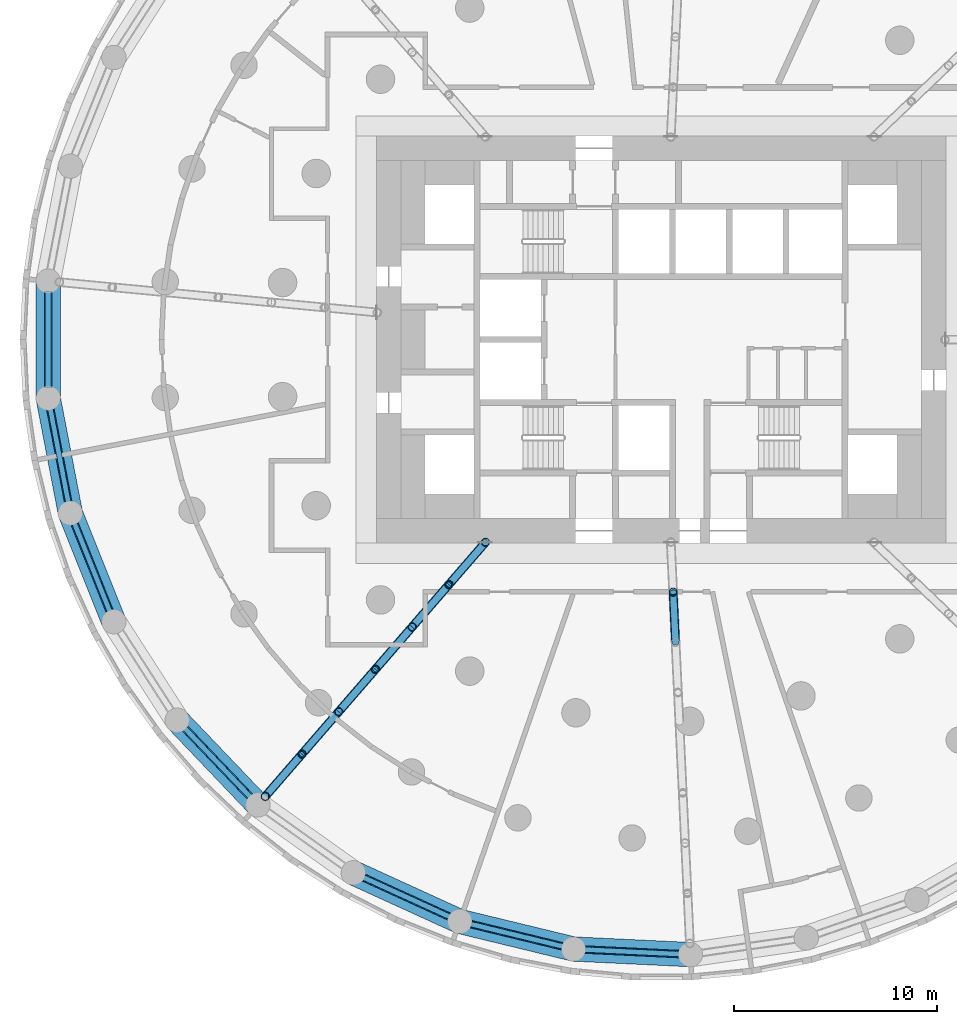
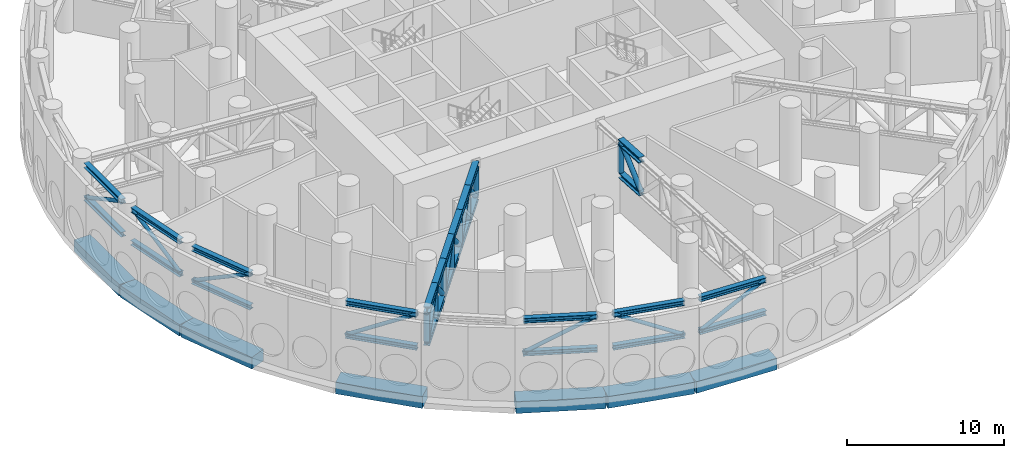
# One storey, part 2 of 17: 50 members, 7 beams.
"""IFC4 building model written with IfcOpenShell, lengths in metres."""

from ifc_helpers import new_model, si_unit, direction, frame, origin, origin_2d, place, context, subcontext, project, spatial, rectangle, hollow_circle, i_section, extrude, material, material_profile, profile_set, type_object, element, save


model = new_model("IFC4")

# Units and contexts
model_context = context("Model", 3, precision=1e-05, world=origin(), true_north=direction((0.0, 1.0)))
body_context = subcontext(model_context, "Body", "Model", "MODEL_VIEW")
ifc_project = project(units=[si_unit("LENGTHUNIT", "METRE"), si_unit("AREAUNIT", "SQUARE_METRE"), si_unit("VOLUMEUNIT", "CUBIC_METRE"), si_unit("PLANEANGLEUNIT", "RADIAN"), si_unit("MASSUNIT", "GRAM", prefix="KILO")], contexts=[model_context])

# Site, building, storey
site_placement = place(None, origin())
site = spatial("IfcSite", under=ifc_project, at=site_placement, CompositionType="ELEMENT")
building_placement = place(site_placement, origin())
building = spatial("IfcBuilding", under=site, at=building_placement, Name="Tracery Tower", CompositionType="ELEMENT")
storey_placement = place(building_placement, frame((0.0, 0.0, 120.0)))
storey = spatial("IfcBuildingStorey", under=building, at=storey_placement, Name="L30 Plant", CompositionType="ELEMENT", Elevation=120.0)

# Members
ifc_material_1 = material(Name="Steel S355", Category="steel")
ifc_material_profile_1 = material_profile(ifc_material_1, i_section(OverallWidth=0.37060546875, OverallDepth=0.362060546875, WebThickness=0.01220703125, FlangeThickness=0.020751953125, FilletRadius=0.01513671875, at=origin_2d()), Name="UKC 356x368x153")
ifc_profile_set_1 = profile_set([ifc_material_profile_1], Name="Steel S355")
member_type_1 = type_object("IfcMemberType", Name="Belt truss bottom chord UKC 356x368x153", PredefinedType="CHORD", material=ifc_profile_set_1)
for number, where, z_axis, x_axis, name in (
    (1, (-30.137451171875, 2.377685546875, 2.9033203125), (0.0, -1.0, 0.0), (1.0, 0.0, 0.0), "Belt truss bottom chord 17"),
    (2, (-30.04296875, -3.368896484375, 2.9033203125), (0.1892891442, -0.981921391909, 0.0), (0.981921391909, 0.1892891442, 0.0), "Belt truss bottom chord 18"),
):
    element("IfcMember", number, at=place(storey_placement, frame(where, z_axis=z_axis, x_axis=x_axis)), inside=storey, type_object=member_type_1, Name=name, PredefinedType="CHORD", context=body_context, shape_type="SweptSolid", body=[
        extrude(i_section(OverallWidth=0.37060546875, OverallDepth=0.362060546875, WebThickness=0.01220703125, FlangeThickness=0.020751953125, FilletRadius=0.01513671875, at=origin_2d()), origin(), (0.0, 0.0, 1.0), 4.75537109375),
    ])
for number, where, z_axis, x_axis, name in (
    (3, (-28.862548828125, -8.993408203125, 2.9033203125), (0.371673893132, -0.928363354061, 0.0), (0.928363354061, 0.371673893132, 0.0), "Belt truss bottom chord 19"),
    (4, (-23.452392578125, -19.076416015625, 2.9033203125), (0.690093469117, -0.723720252503, 0.0), (0.723720252503, 0.690093469117, 0.0), "Belt truss bottom chord 21"),
    (5, (-14.6826171875, -26.42626953125, 2.9033203125), (0.909631920905, -0.415415176024, 0.0), (0.415415176024, 0.909631920905, 0.0), "Belt truss bottom chord 23"),
    (6, (-9.416015625, -28.727294921875, 2.9033203125), (0.97181590024, -0.235741078389, 0.0), (0.235741078389, 0.97181590024, 0.0), "Belt truss bottom chord 24"),
    (7, (-3.80908203125, -29.990234375, 2.9033203125), (0.998866975953, -0.047589540356, 0.0), (0.047589540356, 0.998866975953, 0.0), "Belt truss bottom chord 25"),
):
    element("IfcMember", number, at=place(storey_placement, frame(where, z_axis=z_axis, x_axis=x_axis)), inside=storey, type_object=member_type_1, Name=name, PredefinedType="CHORD", context=body_context, shape_type="SweptSolid", body=[
        extrude(i_section(OverallWidth=0.37060546875, OverallDepth=0.362060546875, WebThickness=0.01220703125, FlangeThickness=0.020751953125, FilletRadius=0.01513671875, at=origin_2d()), origin(), (0.0, 0.0, 1.0), 4.755615234375),
    ])
ifc_material_2 = material(Name="Steel S355", Category="steel")
ifc_material_profile_2 = material_profile(ifc_material_2, hollow_circle(Radius=0.136474609375, WallThickness=0.012451171875, at=origin_2d()), Name="CHS 273x12.5")
ifc_profile_set_2 = profile_set([ifc_material_profile_2], Name="Steel S355")
member_type_2 = type_object("IfcMemberType", Name="Belt truss diagonal CHS 273x12.5", PredefinedType="BRACE", material=ifc_profile_set_2)
for number, where, z_axis, x_axis, name in (
    (8, (-30.137451171875, 2.377685546875, 2.9033203125), (0.0, -0.880568341572, 0.473919187016), (1.0, 0.0, 0.0), "Belt truss diagonal 17"),
    (9, (-30.04296875, -3.368896484375, 5.462646484375), (0.166682292282, -0.864650263678, -0.473916590721), (0.981921391909, 0.1892891442, 0.0), "Belt truss diagonal 18"),
):
    element("IfcMember", number, at=place(storey_placement, frame(where, z_axis=z_axis, x_axis=x_axis)), inside=storey, type_object=member_type_2, Name=name, PredefinedType="BRACE", context=body_context, shape_type="SweptSolid", body=[
        extrude(hollow_circle(Radius=0.136474609375, WallThickness=0.012451171875, at=origin_2d()), origin(), (0.0, 0.0, 1.0), 5.400390625),
    ])
member_1_placement = place(storey_placement, frame((-28.862548828125, -8.993408203125, 2.9033203125), z_axis=(0.327289704715, -0.817500969621, 0.473891985431), x_axis=(0.928363354061, 0.371673893132, 0.0)))
element("IfcMember", 10, at=member_1_placement, inside=storey, type_object=member_type_2, Name="Belt truss diagonal 19", PredefinedType="BRACE", context=body_context, shape_type="SweptSolid", body=[
    extrude(hollow_circle(Radius=0.136474609375, WallThickness=0.012451171875, at=origin_2d()), origin(), (0.0, 0.0, 1.0), 5.400634765625),
])
member_2_placement = place(storey_placement, frame((-23.452392578125, -19.076416015625, 2.9033203125), z_axis=(0.607678110868, -0.637288969565, 0.473909361421), x_axis=(0.723720252503, 0.690093469117, 0.0)))
element("IfcMember", 11, at=member_2_placement, inside=storey, type_object=member_type_2, Name="Belt truss diagonal 21", PredefinedType="BRACE", context=body_context, shape_type="SweptSolid", body=[
    extrude(hollow_circle(Radius=0.136474609375, WallThickness=0.012451171875, at=origin_2d()), origin(), (0.0, 0.0, 1.0), 5.400390625),
])
for number, where, z_axis, x_axis, name in (
    (12, (-14.6826171875, -26.42626953125, 2.9033203125), (0.801005148435, -0.365806967726, 0.473894518373), (0.415415176024, 0.909631920905, 0.0), "Belt truss diagonal 23"),
    (13, (-9.416015625, -28.727294921875, 5.462646484375), (0.855760163092, -0.207588519224, -0.473900358674), (0.235741078389, 0.97181590024, 0.0), "Belt truss diagonal 24"),
    (14, (-3.80908203125, -29.990234375, 2.9033203125), (0.879581490581, -0.041906359756, 0.47389899603), (0.047589540356, 0.998866975953, 0.0), "Belt truss diagonal 25"),
):
    element("IfcMember", number, at=place(storey_placement, frame(where, z_axis=z_axis, x_axis=x_axis)), inside=storey, type_object=member_type_2, Name=name, PredefinedType="BRACE", context=body_context, shape_type="SweptSolid", body=[
        extrude(hollow_circle(Radius=0.136474609375, WallThickness=0.012451171875, at=origin_2d()), origin(), (0.0, 0.0, 1.0), 5.400634765625),
    ])
ifc_material_3 = material(Name="Steel S355", Category="steel")
ifc_material_profile_3 = material_profile(ifc_material_3, i_section(OverallWidth=0.374755859375, OverallDepth=0.37451171875, WebThickness=0.0166015625, FlangeThickness=0.027099609375, FilletRadius=0.01513671875, at=origin_2d()), Name="UKC 356x368x202")
ifc_profile_set_3 = profile_set([ifc_material_profile_3], Name="Steel S355")
member_type_3 = type_object("IfcMemberType", Name="Belt truss top chord UKC 356x368x202", PredefinedType="CHORD", material=ifc_profile_set_3)
for number, where, z_axis, x_axis, name in (
    (15, (-30.137451171875, 2.377685546875, 5.462646484375), (0.0, -1.0, 0.0), (1.0, 0.0, 0.0), "Belt truss top chord 17"),
    (16, (-30.04296875, -3.368896484375, 5.462646484375), (0.1892891442, -0.981921391909, 0.0), (0.981921391909, 0.1892891442, 0.0), "Belt truss top chord 18"),
):
    element("IfcMember", number, at=place(storey_placement, frame(where, z_axis=z_axis, x_axis=x_axis)), inside=storey, type_object=member_type_3, Name=name, PredefinedType="CHORD", context=body_context, shape_type="SweptSolid", body=[
        extrude(i_section(OverallWidth=0.374755859375, OverallDepth=0.37451171875, WebThickness=0.0166015625, FlangeThickness=0.027099609375, FilletRadius=0.01513671875, at=origin_2d()), origin(), (0.0, 0.0, 1.0), 4.75537109375),
    ])
for number, where, z_axis, x_axis, name in (
    (17, (-28.862548828125, -8.993408203125, 5.462646484375), (0.371673893132, -0.928363354061, 0.0), (0.928363354061, 0.371673893132, 0.0), "Belt truss top chord 19"),
    (18, (-23.452392578125, -19.076416015625, 5.462646484375), (0.690093469117, -0.723720252503, 0.0), (0.723720252503, 0.690093469117, 0.0), "Belt truss top chord 21"),
    (19, (-14.6826171875, -26.42626953125, 5.462646484375), (0.909631920905, -0.415415176024, 0.0), (0.415415176024, 0.909631920905, 0.0), "Belt truss top chord 23"),
    (20, (-9.416015625, -28.727294921875, 5.462646484375), (0.97181590024, -0.235741078389, 0.0), (0.235741078389, 0.97181590024, 0.0), "Belt truss top chord 24"),
    (21, (-3.80908203125, -29.990234375, 5.462646484375), (0.998866975953, -0.047589540356, 0.0), (0.047589540356, 0.998866975953, 0.0), "Belt truss top chord 25"),
):
    element("IfcMember", number, at=place(storey_placement, frame(where, z_axis=z_axis, x_axis=x_axis)), inside=storey, type_object=member_type_3, Name=name, PredefinedType="CHORD", context=body_context, shape_type="SweptSolid", body=[
        extrude(i_section(OverallWidth=0.374755859375, OverallDepth=0.37451171875, WebThickness=0.0166015625, FlangeThickness=0.027099609375, FilletRadius=0.01513671875, at=origin_2d()), origin(), (0.0, 0.0, 1.0), 4.755615234375),
    ])
ifc_material_4 = material(Name="Steel S355", Category="steel")
ifc_material_profile_4 = material_profile(ifc_material_4, i_section(OverallWidth=0.403076171875, OverallDepth=0.406494140625, WebThickness=0.026611328125, FlangeThickness=0.04296875, FilletRadius=0.01513671875, at=origin_2d()), Name="UKC 356x406x340")
ifc_profile_set_4 = profile_set([ifc_material_profile_4], Name="Steel S355")
member_type_4 = type_object("IfcMemberType", Name="Outrigger bottom chord UKC 356x406x340", PredefinedType="CHORD", material=ifc_profile_set_4)
member_3_placement = place(storey_placement, frame((-8.63232421875, -9.962158203125, 2.9033203125), z_axis=(-0.654829396434, -0.755776727325, 0.0), x_axis=(0.755776727325, -0.654829396434, 0.0)))
element("IfcMember", 22, at=member_3_placement, inside=storey, type_object=member_type_4, Name="Outrigger 6 bottom chord 1", PredefinedType="CHORD", context=body_context, shape_type="SweptSolid", body=[
    extrude(i_section(OverallWidth=0.403076171875, OverallDepth=0.406494140625, WebThickness=0.026611328125, FlangeThickness=0.04296875, FilletRadius=0.01513671875, at=origin_2d()), origin(), (0.0, 0.0, 1.0), 2.757080078125),
])
member_4_placement = place(storey_placement, frame((-10.437744140625, -12.0458984375, 2.9033203125), z_axis=(-0.654879971825, -0.755732904208, 0.0), x_axis=(0.755732904208, -0.654879971825, 0.0)))
element("IfcMember", 23, at=member_4_placement, inside=storey, type_object=member_type_4, Name="Outrigger 6 bottom chord 2", PredefinedType="CHORD", context=body_context, shape_type="SweptSolid", body=[
    extrude(i_section(OverallWidth=0.403076171875, OverallDepth=0.406494140625, WebThickness=0.026611328125, FlangeThickness=0.04296875, FilletRadius=0.01513671875, at=origin_2d()), origin(), (0.0, 0.0, 1.0), 2.75732421875),
])
member_5_placement = place(storey_placement, frame((-12.243408203125, -14.129638671875, 2.9033203125), z_axis=(-0.654829396434, -0.755776727325, 0.0), x_axis=(0.755776727325, -0.654829396434, 0.0)))
element("IfcMember", 24, at=member_5_placement, inside=storey, type_object=member_type_4, Name="Outrigger 6 bottom chord 3", PredefinedType="CHORD", context=body_context, shape_type="SweptSolid", body=[
    extrude(i_section(OverallWidth=0.403076171875, OverallDepth=0.406494140625, WebThickness=0.026611328125, FlangeThickness=0.04296875, FilletRadius=0.01513671875, at=origin_2d()), origin(), (0.0, 0.0, 1.0), 2.757080078125),
])
member_6_placement = place(storey_placement, frame((-14.048828125, -16.21337890625, 2.9033203125), z_axis=(-0.654879971825, -0.755732904208, 0.0), x_axis=(0.755732904208, -0.654879971825, 0.0)))
element("IfcMember", 25, at=member_6_placement, inside=storey, type_object=member_type_4, Name="Outrigger 6 bottom chord 4", PredefinedType="CHORD", context=body_context, shape_type="SweptSolid", body=[
    extrude(i_section(OverallWidth=0.403076171875, OverallDepth=0.406494140625, WebThickness=0.026611328125, FlangeThickness=0.04296875, FilletRadius=0.01513671875, at=origin_2d()), origin(), (0.0, 0.0, 1.0), 2.75732421875),
])
member_7_placement = place(storey_placement, frame((-15.8544921875, -18.297119140625, 2.9033203125), z_axis=(-0.654873222232, -0.755738753012, 0.0), x_axis=(0.755738753012, -0.654873222232, 0.0)))
element("IfcMember", 26, at=member_7_placement, inside=storey, type_object=member_type_4, Name="Outrigger 6 bottom chord 5", PredefinedType="CHORD", context=body_context, shape_type="SweptSolid", body=[
    extrude(i_section(OverallWidth=0.403076171875, OverallDepth=0.406494140625, WebThickness=0.026611328125, FlangeThickness=0.04296875, FilletRadius=0.01513671875, at=origin_2d()), origin(), (0.0, 0.0, 1.0), 2.7568359375),
])
member_8_placement = place(storey_placement, frame((-17.659912109375, -20.380615234375, 2.9033203125), z_axis=(-0.654829396434, -0.755776727325, 0.0), x_axis=(0.755776727325, -0.654829396434, 0.0)))
element("IfcMember", 27, at=member_8_placement, inside=storey, type_object=member_type_4, Name="Outrigger 6 bottom chord 6", PredefinedType="CHORD", context=body_context, shape_type="SweptSolid", body=[
    extrude(i_section(OverallWidth=0.403076171875, OverallDepth=0.406494140625, WebThickness=0.026611328125, FlangeThickness=0.04296875, FilletRadius=0.01513671875, at=origin_2d()), origin(), (0.0, 0.0, 1.0), 2.757080078125),
])
member_9_placement = place(storey_placement, frame((0.591552734375, -12.417724609375, 2.9033203125), z_axis=(0.047536976289, -0.998869478904, 0.0), x_axis=(0.998869478904, 0.047536976289, 0.0)))
element("IfcMember", 28, at=member_9_placement, inside=storey, type_object=member_type_4, Name="Outrigger 7 bottom chord 2", PredefinedType="CHORD", context=body_context, shape_type="SweptSolid", body=[
    extrude(i_section(OverallWidth=0.403076171875, OverallDepth=0.406494140625, WebThickness=0.026611328125, FlangeThickness=0.04296875, FilletRadius=0.01513671875, at=origin_2d()), origin(), (0.0, 0.0, 1.0), 2.47021484375),
])
ifc_material_5 = material(Name="Steel S355", Category="steel")
ifc_material_profile_5 = material_profile(ifc_material_5, hollow_circle(Radius=0.177734375, WallThickness=0.01611328125, at=origin_2d()), Name="CHS 355.6x16")
ifc_profile_set_5 = profile_set([ifc_material_profile_5], Name="Steel S355")
member_type_5 = type_object("IfcMemberType", Name="Outrigger diagonal CHS 355.6x16", PredefinedType="BRACE", material=ifc_profile_set_5)
for number, where, z_axis, x_axis, name in (
    (29, (-8.63232421875, -9.962158203125, 2.9033203125), (-0.479926202834, -0.5539107696, 0.680333520529), (0.755776727325, -0.654829396434, 0.0), "Outrigger 6 diagonal 1"),
    (30, (-10.437744140625, -12.0458984375, 5.462646484375), (-0.47997615117, -0.553893516798, -0.680312330005), (0.755732904208, -0.654879971825, 0.0), "Outrigger 6 diagonal 2"),
    (31, (-12.243408203125, -14.129638671875, 2.9033203125), (-0.479926202834, -0.5539107696, 0.680333520529), (0.755776727325, -0.654829396434, 0.0), "Outrigger 6 diagonal 3"),
    (32, (-14.048828125, -16.21337890625, 5.462646484375), (-0.47997615117, -0.553893516798, -0.680312330005), (0.755732904208, -0.654879971825, 0.0), "Outrigger 6 diagonal 4"),
):
    element("IfcMember", number, at=place(storey_placement, frame(where, z_axis=z_axis, x_axis=x_axis)), inside=storey, type_object=member_type_5, Name=name, PredefinedType="BRACE", context=body_context, shape_type="SweptSolid", body=[
        extrude(hollow_circle(Radius=0.177734375, WallThickness=0.01611328125, at=origin_2d()), origin(), (0.0, 0.0, 1.0), 3.761962890625),
    ])
member_10_placement = place(storey_placement, frame((-15.8544921875, -18.297119140625, 2.9033203125), z_axis=(-0.479943455195, -0.553865780478, 0.680357977121), x_axis=(0.755738753012, -0.654873222232, 0.0)))
element("IfcMember", 33, at=member_10_placement, inside=storey, type_object=member_type_5, Name="Outrigger 6 diagonal 5", PredefinedType="BRACE", context=body_context, shape_type="SweptSolid", body=[
    extrude(hollow_circle(Radius=0.177734375, WallThickness=0.01611328125, at=origin_2d()), origin(), (0.0, 0.0, 1.0), 3.76171875),
])
member_11_placement = place(storey_placement, frame((-17.659912109375, -20.380615234375, 5.462646484375), z_axis=(-0.479926202834, -0.5539107696, -0.680333520529), x_axis=(0.755776727325, -0.654829396434, 0.0)))
element("IfcMember", 34, at=member_11_placement, inside=storey, type_object=member_type_5, Name="Outrigger 6 diagonal 6", PredefinedType="BRACE", context=body_context, shape_type="SweptSolid", body=[
    extrude(hollow_circle(Radius=0.177734375, WallThickness=0.01611328125, at=origin_2d()), origin(), (0.0, 0.0, 1.0), 3.761962890625),
])
member_12_placement = place(storey_placement, frame((0.591552734375, -12.417724609375, 5.462646484375), z_axis=(0.03301372485, -0.693700035465, -0.719507022042), x_axis=(0.998869478904, 0.047536976289, 0.0)))
element("IfcMember", 35, at=member_12_placement, inside=storey, type_object=member_type_5, Name="Outrigger 7 diagonal 2", PredefinedType="BRACE", context=body_context, shape_type="SweptSolid", body=[
    extrude(hollow_circle(Radius=0.177734375, WallThickness=0.01611328125, at=origin_2d()), origin(), (0.0, 0.0, 1.0), 3.55712890625),
])
ifc_material_6 = material(Name="Steel S355", Category="steel")
ifc_material_profile_6 = material_profile(ifc_material_6, hollow_circle(Radius=0.203125, WallThickness=0.02001953125, at=origin_2d()), Name="CHS 406.4x20")
ifc_profile_set_6 = profile_set([ifc_material_profile_6], Name="Steel S355")
member_type_6 = type_object("IfcMemberType", Name="Outrigger post CHS 406.4x20", PredefinedType="POST", material=ifc_profile_set_6)
for number, where, z_axis, x_axis, name in (
    (36, (-8.63232421875, -9.962158203125, 3.1064453125), (0.0, 0.0, 1.0), (1.0, 0.0, 0.0), "Outrigger 6 post 1"),
    (37, (-10.437744140625, -12.0458984375, 3.1064453125), (0.0, 0.0, 1.0), (1.0, 0.0, 0.0), "Outrigger 6 post 2"),
    (38, (-12.243408203125, -14.129638671875, 3.1064453125), (0.0, 0.0, 1.0), (1.0, 0.0, 0.0), "Outrigger 6 post 3"),
    (39, (-14.048828125, -16.21337890625, 3.1064453125), (0.0, 0.0, 1.0), (1.0, 0.0, 0.0), "Outrigger 6 post 4"),
    (40, (-15.8544921875, -18.297119140625, 3.1064453125), (0.0, 0.0, 1.0), (1.0, 0.0, 0.0), "Outrigger 6 post 5"),
    (41, (-17.659912109375, -20.380615234375, 3.1064453125), (0.0, 0.0, 1.0), (1.0, 0.0, 0.0), "Outrigger 6 post 6"),
    (42, (-19.46533203125, -22.46435546875, 3.1064453125), (0.0, 0.0, 1.0), (1.0, 0.0, 0.0), "Outrigger 6 post 7"),
    (43, (0.591552734375, -12.417724609375, 3.1064453125), (0.0, 0.0, 1.0), (1.0, 0.0, 0.0), "Outrigger 7 post 2"),
):
    element("IfcMember", number, at=place(storey_placement, frame(where, z_axis=z_axis, x_axis=x_axis)), inside=storey, type_object=member_type_6, Name=name, PredefinedType="POST", context=body_context, shape_type="SweptSolid", body=[
        extrude(hollow_circle(Radius=0.203125, WallThickness=0.02001953125, at=origin_2d()), origin(), (0.0, 0.0, 1.0), 2.118896484375),
    ])
ifc_material_7 = material(Name="Steel S355", Category="steel")
ifc_material_profile_7 = material_profile(ifc_material_7, i_section(OverallWidth=0.424072265625, OverallDepth=0.474609375, WebThickness=0.047607421875, FlangeThickness=0.076904296875, FilletRadius=0.01513671875, at=origin_2d()), Name="UKC 356x406x634")
ifc_profile_set_7 = profile_set([ifc_material_profile_7], Name="Steel S355")
member_type_7 = type_object("IfcMemberType", Name="Outrigger top chord UKC 356x406x634", PredefinedType="CHORD", material=ifc_profile_set_7)
member_13_placement = place(storey_placement, frame((-8.63232421875, -9.962158203125, 5.462646484375), z_axis=(-0.654829396434, -0.755776727325, 0.0), x_axis=(0.755776727325, -0.654829396434, 0.0)))
element("IfcMember", 44, at=member_13_placement, inside=storey, type_object=member_type_7, Name="Outrigger 6 top chord 1", PredefinedType="CHORD", context=body_context, shape_type="SweptSolid", body=[
    extrude(i_section(OverallWidth=0.424072265625, OverallDepth=0.474609375, WebThickness=0.047607421875, FlangeThickness=0.076904296875, FilletRadius=0.01513671875, at=origin_2d()), origin(), (0.0, 0.0, 1.0), 2.757080078125),
])
member_14_placement = place(storey_placement, frame((-10.437744140625, -12.0458984375, 5.462646484375), z_axis=(-0.654879971825, -0.755732904208, 0.0), x_axis=(0.755732904208, -0.654879971825, 0.0)))
element("IfcMember", 45, at=member_14_placement, inside=storey, type_object=member_type_7, Name="Outrigger 6 top chord 2", PredefinedType="CHORD", context=body_context, shape_type="SweptSolid", body=[
    extrude(i_section(OverallWidth=0.424072265625, OverallDepth=0.474609375, WebThickness=0.047607421875, FlangeThickness=0.076904296875, FilletRadius=0.01513671875, at=origin_2d()), origin(), (0.0, 0.0, 1.0), 2.75732421875),
])
member_15_placement = place(storey_placement, frame((-12.243408203125, -14.129638671875, 5.462646484375), z_axis=(-0.654829396434, -0.755776727325, 0.0), x_axis=(0.755776727325, -0.654829396434, 0.0)))
element("IfcMember", 46, at=member_15_placement, inside=storey, type_object=member_type_7, Name="Outrigger 6 top chord 3", PredefinedType="CHORD", context=body_context, shape_type="SweptSolid", body=[
    extrude(i_section(OverallWidth=0.424072265625, OverallDepth=0.474609375, WebThickness=0.047607421875, FlangeThickness=0.076904296875, FilletRadius=0.01513671875, at=origin_2d()), origin(), (0.0, 0.0, 1.0), 2.757080078125),
])
member_16_placement = place(storey_placement, frame((-14.048828125, -16.21337890625, 5.462646484375), z_axis=(-0.654879971825, -0.755732904208, 0.0), x_axis=(0.755732904208, -0.654879971825, 0.0)))
element("IfcMember", 47, at=member_16_placement, inside=storey, type_object=member_type_7, Name="Outrigger 6 top chord 4", PredefinedType="CHORD", context=body_context, shape_type="SweptSolid", body=[
    extrude(i_section(OverallWidth=0.424072265625, OverallDepth=0.474609375, WebThickness=0.047607421875, FlangeThickness=0.076904296875, FilletRadius=0.01513671875, at=origin_2d()), origin(), (0.0, 0.0, 1.0), 2.75732421875),
])
member_17_placement = place(storey_placement, frame((-15.8544921875, -18.297119140625, 5.462646484375), z_axis=(-0.654873222232, -0.755738753012, 0.0), x_axis=(0.755738753012, -0.654873222232, 0.0)))
element("IfcMember", 48, at=member_17_placement, inside=storey, type_object=member_type_7, Name="Outrigger 6 top chord 5", PredefinedType="CHORD", context=body_context, shape_type="SweptSolid", body=[
    extrude(i_section(OverallWidth=0.424072265625, OverallDepth=0.474609375, WebThickness=0.047607421875, FlangeThickness=0.076904296875, FilletRadius=0.01513671875, at=origin_2d()), origin(), (0.0, 0.0, 1.0), 2.7568359375),
])
member_18_placement = place(storey_placement, frame((-17.659912109375, -20.380615234375, 5.462646484375), z_axis=(-0.654829396434, -0.755776727325, 0.0), x_axis=(0.755776727325, -0.654829396434, 0.0)))
element("IfcMember", 49, at=member_18_placement, inside=storey, type_object=member_type_7, Name="Outrigger 6 top chord 6", PredefinedType="CHORD", context=body_context, shape_type="SweptSolid", body=[
    extrude(i_section(OverallWidth=0.424072265625, OverallDepth=0.474609375, WebThickness=0.047607421875, FlangeThickness=0.076904296875, FilletRadius=0.01513671875, at=origin_2d()), origin(), (0.0, 0.0, 1.0), 2.757080078125),
])
member_19_placement = place(storey_placement, frame((0.591552734375, -12.417724609375, 5.462646484375), z_axis=(0.047536976289, -0.998869478904, 0.0), x_axis=(0.998869478904, 0.047536976289, 0.0)))
element("IfcMember", 50, at=member_19_placement, inside=storey, type_object=member_type_7, Name="Outrigger 7 top chord 2", PredefinedType="CHORD", context=body_context, shape_type="SweptSolid", body=[
    extrude(i_section(OverallWidth=0.424072265625, OverallDepth=0.474609375, WebThickness=0.047607421875, FlangeThickness=0.076904296875, FilletRadius=0.01513671875, at=origin_2d()), origin(), (0.0, 0.0, 1.0), 2.47021484375),
])

# Beams
ifc_material_8 = material(Name="Concrete C60/75", Category="concrete")
ifc_material_profile_8 = material_profile(ifc_material_8, rectangle(XDim=1.199951171875, YDim=0.89990234375, at=origin_2d()), Name="RC 1200x900")
ifc_profile_set_8 = profile_set([ifc_material_profile_8], Name="Concrete C60/75")
beam_type = type_object("IfcBeamType", Name="Plant level band beam 1200x900", PredefinedType="BEAM", material=ifc_profile_set_8)
beam_1_placement = place(storey_placement, frame((-30.137451171875, 2.877685546875, -0.949951171875), z_axis=(0.0, -1.0, 0.0), x_axis=(1.0, 0.0, 0.0)))
element("IfcBeam", 51, at=beam_1_placement, inside=storey, type_object=beam_type, Name="Perimeter beam 0.16 under L30 Plant", PredefinedType="BEAM", context=body_context, shape_type="SweptSolid", body=[
    extrude(rectangle(XDim=1.199951171875, YDim=0.89990234375, at=origin_2d()), origin(), (0.0, 0.0, 1.0), 5.75537109375),
])
for number, where, z_axis, x_axis, name in (
    (52, (-30.137451171875, -2.877685546875, -0.949951171875), (0.189226539295, -0.981933458451, 0.0), (0.981933458451, 0.189226539295, 0.0), "Perimeter beam 0.17 under L30 Plant"),
    (53, (-29.04833984375, -8.529296875, -0.949951171875), (0.371668572289, -0.928365484264, 0.0), (0.928365484264, 0.371668572289, 0.0), "Perimeter beam 0.18 under L30 Plant"),
):
    element("IfcBeam", number, at=place(storey_placement, frame(where, z_axis=z_axis, x_axis=x_axis)), inside=storey, type_object=beam_type, Name=name, PredefinedType="BEAM", context=body_context, shape_type="SweptSolid", body=[
        extrude(rectangle(XDim=1.199951171875, YDim=0.89990234375, at=origin_2d()), origin(), (0.0, 0.0, 1.0), 5.755615234375),
    ])
beam_2_placement = place(storey_placement, frame((-23.79736328125, -18.714599609375, -0.949951171875), z_axis=(0.690087218267, -0.723726212863, 0.0), x_axis=(0.723726212863, 0.690087218267, 0.0)))
element("IfcBeam", 54, at=beam_2_placement, inside=storey, type_object=beam_type, Name="Perimeter beam 0.20 under L30 Plant", PredefinedType="BEAM", context=body_context, shape_type="SweptSolid", body=[
    extrude(rectangle(XDim=1.199951171875, YDim=0.89990234375, at=origin_2d()), origin(), (0.0, 0.0, 1.0), 5.75537109375),
])
beam_3_placement = place(storey_placement, frame((-15.13720703125, -26.218505859375, -0.949951171875), z_axis=(0.909618316865, -0.415444963411, 0.0), x_axis=(0.415444963411, 0.909618316865, 0.0)))
element("IfcBeam", 55, at=beam_3_placement, inside=storey, type_object=beam_type, Name="Perimeter beam 0.22 under L30 Plant", PredefinedType="BEAM", context=body_context, shape_type="SweptSolid", body=[
    extrude(rectangle(XDim=1.199951171875, YDim=0.89990234375, at=origin_2d()), origin(), (0.0, 0.0, 1.0), 5.755615234375),
])
beam_4_placement = place(storey_placement, frame((-9.90185546875, -28.609619140625, -0.949951171875), z_axis=(0.971820371509, -0.235722645328, 0.0), x_axis=(0.235722645328, 0.971820371509, 0.0)))
element("IfcBeam", 56, at=beam_4_placement, inside=storey, type_object=beam_type, Name="Perimeter beam 0.23 under L30 Plant", PredefinedType="BEAM", context=body_context, shape_type="SweptSolid", body=[
    extrude(rectangle(XDim=1.199951171875, YDim=0.89990234375, at=origin_2d()), origin(), (0.0, 0.0, 1.0), 5.75537109375),
])
beam_5_placement = place(storey_placement, frame((-4.30859375, -29.96630859375, -0.949951171875), z_axis=(0.998866793759, -0.047593364303, 0.0), x_axis=(0.047593364303, 0.998866793759, 0.0)))
element("IfcBeam", 57, at=beam_5_placement, inside=storey, type_object=beam_type, Name="Perimeter beam 0.24 under L30 Plant", PredefinedType="BEAM", context=body_context, shape_type="SweptSolid", body=[
    extrude(rectangle(XDim=1.199951171875, YDim=0.89990234375, at=origin_2d()), origin(), (0.0, 0.0, 1.0), 5.755615234375),
])

save(model, "model.ifc")
